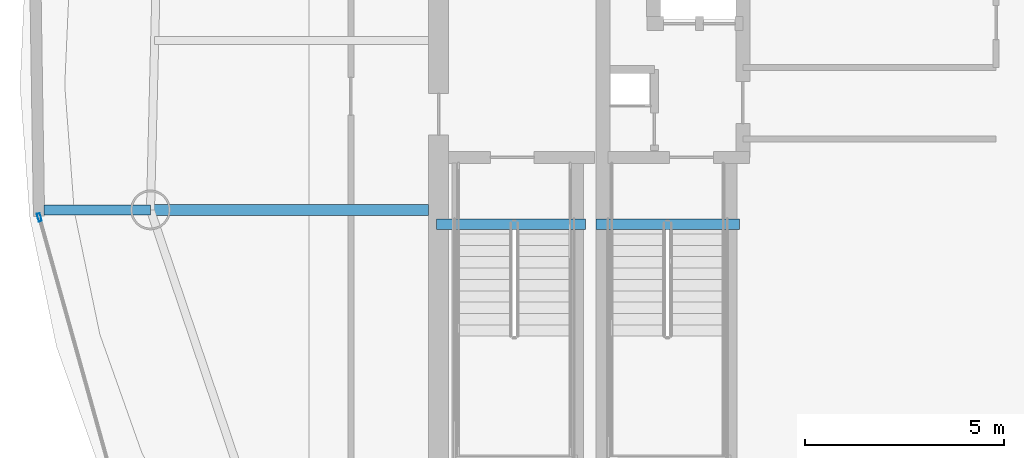
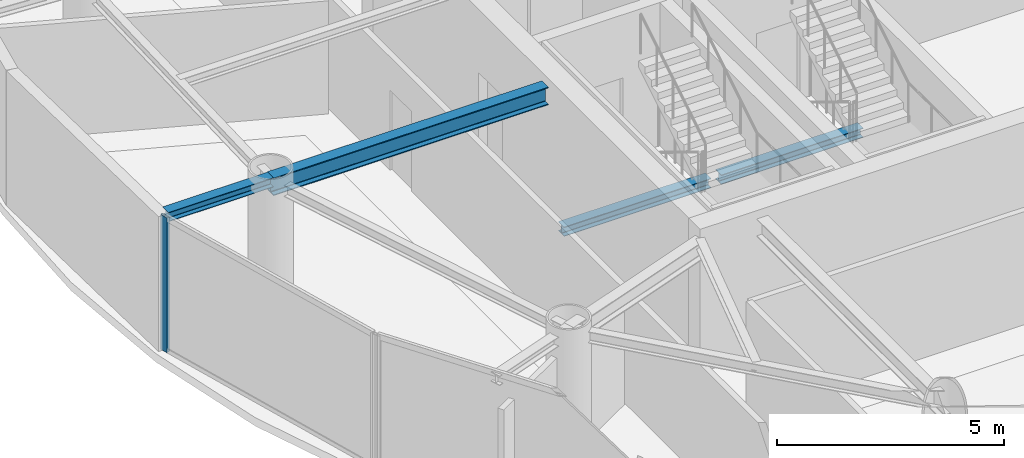
# One storey, part 5 of 19: 4 beams, 1 member, 1 element without a shape of its own.
"""IFC4 building model written with IfcOpenShell, lengths in metres."""

import ifcopenshell
import ifcopenshell.guid

model = None  # the IFC model being written
_history = None  # IfcOwnerHistory: only IFC2X3 demands one
_inside = {}  # id of a spatial element -> (the spatial element, [elements in it])
_under = {}  # id of a project, library or spatial element -> (it, [spatial elements below it])
_declared = {}  # id of a project -> (the project, [libraries it declares])
_typed = {}  # id of a type object -> (the type object, [elements of that type])
_made_of = {}  # id of a material, layer set ... -> (it, [elements and type objects made of it])


def new_model(schema):
    """Start an empty IFC model of exactly this schema.

    Asked for "IFC4X3", IfcOpenShell would pick the latest addendum, in which some entities
    have other attributes; the version numbers below select the first issue.
    IFC2X3 requires an IfcOwnerHistory on every rooted entity: one is made here for all.
    """
    global model, _history
    if schema == "IFC4X3":
        model = ifcopenshell.file(schema_version=(4, 3, 0, 0))
    else:
        model = ifcopenshell.file(schema=schema)
    _inside.clear()
    _under.clear()
    _declared.clear()
    _typed.clear()
    _made_of.clear()
    _history = None
    if model.schema == "IFC2X3":
        org = make("IfcOrganization", Name="unknown")
        user = make(
            "IfcPersonAndOrganization",
            ThePerson=make("IfcPerson", FamilyName="unknown"),
            TheOrganization=org,
        )
        app = make(
            "IfcApplication",
            ApplicationDeveloper=org,
            Version="unknown",
            ApplicationFullName="unknown",
            ApplicationIdentifier="unknown",
        )
        _history = make(
            "IfcOwnerHistory",
            OwningUser=user,
            OwningApplication=app,
            ChangeAction="ADDED",
            CreationDate=0,
        )
    return model


def make(cls, **values):
    """One entity of the class cls with the attributes given. An attribute that is None is left unset."""
    return model.create_entity(
        cls, **{name: value for name, value in values.items() if value is not None}
    )


def rooted(cls, **values):
    """An entity with a GlobalId (a new one), such as an element, a storey or a relation."""
    return make(cls, GlobalId=ifcopenshell.guid.new(), OwnerHistory=_history, **values)


def si_unit(unit_type, name, prefix=None):
    """IfcSIUnit, for example si_unit("LENGTHUNIT", "METRE", prefix="MILLI")."""
    return make("IfcSIUnit", UnitType=unit_type, Prefix=prefix, Name=name)


def assignment(units):
    """IfcUnitAssignment: the units of a project."""
    return None if units is None else make("IfcUnitAssignment", Units=units)


def point(xyz):
    """IfcCartesianPoint."""
    return None if xyz is None else make("IfcCartesianPoint", Coordinates=xyz)


def direction(xyz):
    """IfcDirection."""
    return None if xyz is None else make("IfcDirection", DirectionRatios=xyz)


def frame(location, z_axis=None, x_axis=None):
    """IfcAxis2Placement3D, a coordinate frame: its origin and axes. An axis left out is left unset."""
    return make(
        "IfcAxis2Placement3D",
        Location=point(location),
        Axis=direction(z_axis),
        RefDirection=direction(x_axis),
    )


def frame_2d(location, x_axis=None):
    """IfcAxis2Placement2D, a coordinate frame in the plane: its origin and x axis."""
    return make(
        "IfcAxis2Placement2D", Location=point(location), RefDirection=direction(x_axis)
    )


def origin():
    """The frame at (0, 0, 0) with its axes left unset."""
    return frame((0.0, 0.0, 0.0))


def origin_2d():
    """The frame at (0, 0) in the plane with its x axis left unset."""
    return frame_2d((0.0, 0.0))


def place(relative_to, where):
    """IfcLocalPlacement: puts the frame where relative to a parent placement (None: the world)."""
    return make(
        "IfcLocalPlacement", PlacementRelTo=relative_to, RelativePlacement=where
    )


def context(
    kind, dimensions, precision=None, world=None, true_north=None, identifier=None
):
    """IfcGeometricRepresentationContext, for example the 3D "Model" context."""
    return make(
        "IfcGeometricRepresentationContext",
        ContextIdentifier=identifier,
        ContextType=kind,
        CoordinateSpaceDimension=dimensions,
        Precision=precision,
        WorldCoordinateSystem=world,
        TrueNorth=true_north,
    )


def subcontext(parent, identifier, kind, view, scale=None):
    """IfcGeometricRepresentationSubContext, for example "Body" below "Model"."""
    return make(
        "IfcGeometricRepresentationSubContext",
        ContextIdentifier=identifier,
        ContextType=kind,
        ParentContext=parent,
        TargetScale=scale,
        TargetView=view,
    )


def project(units=None, contexts=None):
    """IfcProject with its units and contexts."""
    return rooted(
        "IfcProject",
        Name="project",
        RepresentationContexts=contexts,
        UnitsInContext=assignment(units),
    )


def spatial(cls, under=None, at=None, **own):
    """A site, building, storey or space (cls), placed at a placement, below another one or the project."""
    s = rooted(cls, ObjectPlacement=at, **own)
    if under is not None:
        _under.setdefault(under.id(), (under, []))[1].append(s)
    return s


def profile(cls, at=None, kind="AREA", **sizes):
    """A parametric profile (cls). Its sizes go by their IFC names, for example OverallWidth=200.0."""
    return make(cls, ProfileType=kind, Position=at, **sizes)


def hollow_rectangle(**sizes):
    """IfcRectangleHollowProfileDef."""
    return profile("IfcRectangleHollowProfileDef", **sizes)


def i_section(**sizes):
    """IfcIShapeProfileDef."""
    return profile("IfcIShapeProfileDef", **sizes)


def extrude(swept, where, along, depth):
    """IfcExtrudedAreaSolid: the profile swept, set in the frame where, extruded along a direction by depth."""
    return make(
        "IfcExtrudedAreaSolid",
        SweptArea=swept,
        Position=where,
        ExtrudedDirection=direction(along),
        Depth=depth,
    )


def shape(context_of_items, identifier, shape_type, items):
    """IfcShapeRepresentation: the items that make up one representation, for example the "Body"."""
    return make(
        "IfcShapeRepresentation",
        ContextOfItems=context_of_items,
        RepresentationIdentifier=identifier,
        RepresentationType=shape_type,
        Items=items,
    )


def material(Name=None, Category=None):
    """IfcMaterial."""
    return make("IfcMaterial", Name=Name, Category=Category)


def layer(
    of_material, thickness, ventilated=None, Name=None, Category=None, Priority=None
):
    """IfcMaterialLayer: one layer of a wall or slab, of a material (None: an air gap)."""
    return make(
        "IfcMaterialLayer",
        Material=of_material,
        LayerThickness=thickness,
        IsVentilated=ventilated,
        Name=Name,
        Category=Category,
        Priority=Priority,
    )


def layer_set(layers, Name=None):
    """IfcMaterialLayerSet."""
    return make("IfcMaterialLayerSet", MaterialLayers=layers, LayerSetName=Name)


def material_profile(
    of_material, cross_section, Name=None, Category=None, Priority=None
):
    """IfcMaterialProfile: a cross section and its material."""
    return make(
        "IfcMaterialProfile",
        Name=Name,
        Material=of_material,
        Profile=cross_section,
        Priority=Priority,
        Category=Category,
    )


def profile_set(profiles, Name=None, composite=None):
    """IfcMaterialProfileSet."""
    return make(
        "IfcMaterialProfileSet",
        Name=Name,
        MaterialProfiles=profiles,
        CompositeProfile=composite,
    )


def made_of(thing, what):
    """Note that an element or type object is made of a material, layer set ...; save() writes the relation."""
    if what is not None:
        _made_of.setdefault(what.id(), (what, []))[1].append(thing)
    return thing


def type_object(cls, material=None, **own):
    """A type object (cls), such as IfcWallType, which elements share."""
    return made_of(rooted(cls, **own), material)


def element(
    cls,
    number,
    at=None,
    inside=None,
    cuts=None,
    type_object=None,
    material=None,
    context=None,
    identifier="Body",
    shape_type=None,
    held_by="IfcProductDefinitionShape",
    body=None,
    shapes=None,
    **own,
):
    """One element of the class cls, such as IfcWall. Its Tag is "e" and its number.

    at: its placement. inside: the storey or other place that contains it. cuts: it is an
    opening in that element (IfcRelVoidsElement). A single representation is given by context,
    identifier, shape_type and body (its items); several are given by shapes. held_by: the class
    of the entity that holds the representations. save() writes the other relations.
    """
    e = rooted(cls, Tag="e%d" % number, ObjectPlacement=at, **own)
    if body is not None:
        shapes = [shape(context, identifier, shape_type, body)]
    if shapes is not None:
        e.Representation = make(held_by, Representations=shapes)
    if inside is not None:
        _inside.setdefault(inside.id(), (inside, []))[1].append(e)
    if cuts is not None:
        rooted(
            "IfcRelVoidsElement", RelatingBuildingElement=cuts, RelatedOpeningElement=e
        )
    if type_object is not None:
        _typed.setdefault(type_object.id(), (type_object, []))[1].append(e)
    return made_of(e, material)


def aggregate(whole, parts):
    """IfcRelAggregates: a whole, such as a stair, and the parts it consists of."""
    return rooted("IfcRelAggregates", RelatingObject=whole, RelatedObjects=parts)


def save(model, path):
    """Write the relations noted so far, then the file.

    IfcRelAggregates (storeys below a building ...), IfcRelContainedInSpatialStructure (elements
    in a storey), IfcRelDefinesByType, IfcRelAssociatesMaterial and IfcRelDeclares: one each for
    every whole, place, type object, material and project.
    """
    for whole, parts in _under.values():
        aggregate(whole, parts)
    for where, things in _inside.values():
        rooted(
            "IfcRelContainedInSpatialStructure",
            RelatedElements=things,
            RelatingStructure=where,
        )
    for kind, things in _typed.values():
        rooted("IfcRelDefinesByType", RelatedObjects=things, RelatingType=kind)
    for what, things in _made_of.values():
        rooted("IfcRelAssociatesMaterial", RelatedObjects=things, RelatingMaterial=what)
    for by, libraries in _declared.values():
        rooted("IfcRelDeclares", RelatingContext=by, RelatedDefinitions=libraries)
    model.write(path)


model = new_model("IFC4")

# Units and contexts
model_context = context("Model", 3, precision=1e-05, world=origin(), true_north=direction((0.0, 1.0)))
body_context = subcontext(model_context, "Body", "Model", "MODEL_VIEW")
ifc_project = project(units=[si_unit("LENGTHUNIT", "METRE"), si_unit("AREAUNIT", "SQUARE_METRE"), si_unit("VOLUMEUNIT", "CUBIC_METRE"), si_unit("PLANEANGLEUNIT", "RADIAN"), si_unit("MASSUNIT", "GRAM", prefix="KILO")], contexts=[model_context])

# Site, building, storey
site_placement = place(None, origin())
site = spatial("IfcSite", under=ifc_project, at=site_placement, CompositionType="ELEMENT")
building_placement = place(site_placement, origin())
building = spatial("IfcBuilding", under=site, at=building_placement, Name="Bramvorn Convention Spire", CompositionType="ELEMENT")
storey_placement = place(building_placement, frame((0.0, 0.0, 299.800048828125)))
storey = spatial("IfcBuildingStorey", under=building, at=storey_placement, Name="L76", CompositionType="ELEMENT", Elevation=299.800048828125)

# Beams
ifc_material_1 = material(Name="Steel CSA G40.21 Grade 350 (350W)", Category="steel")
ifc_material_profile_1 = material_profile(ifc_material_1, i_section(OverallWidth=0.25390625, OverallDepth=0.2529296875, WebThickness=0.008544921875, FlangeThickness=0.01416015625, FilletRadius=0.011962890625, at=origin_2d()))
ifc_profile_set_1 = profile_set([ifc_material_profile_1], Name="Steel CSA G40.21 Grade 350 (350W) - W250X73")
beam_type_1 = type_object("IfcBeamType", Name="BM-W250X73", PredefinedType="BEAM", material=ifc_profile_set_1)
beam_1_placement = place(storey_placement, frame((19.765380859375, 25.37060546875, 3.49853515625), z_axis=(-1.0, 0.0, 0.0), x_axis=(0.0, -1.0, 0.0)))
element("IfcBeam", 1, at=beam_1_placement, inside=storey, type_object=beam_type_1, Name="L76 slab-edge cantilever tip beam MC12", PredefinedType="BEAM", context=body_context, shape_type="SweptSolid", body=[
    extrude(i_section(OverallWidth=0.25390625, OverallDepth=0.2529296875, WebThickness=0.008544921875, FlangeThickness=0.01416015625, FilletRadius=0.011962890625, at=origin_2d()), origin(), (0.0, 0.0, 1.0), 2.672607421875),
])
beam_2_placement = place(storey_placement, frame((26.949951171875, 25.010009765625, -0.12646484375), z_axis=(1.0, 0.0, 0.0), x_axis=(0.0, 1.0, 0.0)))
element("IfcBeam", 2, at=beam_2_placement, inside=storey, type_object=beam_type_1, Name="L76 ST1 stair arrival header beam", PredefinedType="BEAM", context=body_context, shape_type="SweptSolid", body=[
    extrude(i_section(OverallWidth=0.25390625, OverallDepth=0.2529296875, WebThickness=0.008544921875, FlangeThickness=0.01416015625, FilletRadius=0.011962890625, at=origin_2d()), origin(), (0.0, 0.0, 1.0), 3.739990234375),
])
beam_3_placement = place(storey_placement, frame((30.949951171875, 25.010009765625, -0.12646484375), z_axis=(1.0, 0.0, 0.0), x_axis=(0.0, 1.0, 0.0)))
element("IfcBeam", 3, at=beam_3_placement, inside=storey, type_object=beam_type_1, Name="L76 ST3 stair arrival header beam", PredefinedType="BEAM", context=body_context, shape_type="SweptSolid", body=[
    extrude(i_section(OverallWidth=0.25390625, OverallDepth=0.2529296875, WebThickness=0.008544921875, FlangeThickness=0.01416015625, FilletRadius=0.011962890625, at=origin_2d()), origin(), (0.0, 0.0, 1.0), 3.610107421875),
])
ifc_material_profile_2 = material_profile(ifc_material_1, i_section(OverallWidth=0.283935546875, OverallDepth=0.47607421875, WebThickness=0.014892578125, FlangeThickness=0.02392578125, FilletRadius=0.01806640625, at=origin_2d()))
ifc_profile_set_2 = profile_set([ifc_material_profile_2], Name="Steel CSA G40.21 Grade 350 (350W) - W460X158")
beam_type_2 = type_object("IfcBeamType", Name="BM-W460X158", PredefinedType="SPANDREL", material=ifc_profile_set_2)
beam_4_placement = place(storey_placement, frame((26.75, 25.37060546875, 3.386962890625), z_axis=(-1.0, 0.0, 0.0), x_axis=(0.0, -1.0, 0.0)))
element("IfcBeam", 4, at=beam_4_placement, inside=storey, type_object=beam_type_2, Name="L76 radial floor girder MC12", PredefinedType="SPANDREL", context=body_context, shape_type="SweptSolid", body=[
    extrude(i_section(OverallWidth=0.283935546875, OverallDepth=0.47607421875, WebThickness=0.014892578125, FlangeThickness=0.02392578125, FilletRadius=0.01806640625, at=origin_2d()), origin(), (0.0, 0.0, 1.0), 6.984619140625),
])

# Curtain wall, member
ifc_material_2 = material(Name="Anodised Bronze Unitised Curtain Wall", Category="aluminium")
ifc_layer = layer(ifc_material_2, 0.179931640625)
ifc_layer_set = layer_set([ifc_layer], Name="Anodised Bronze Unitised Curtain Wall - CW-OFF-FRIT")
curtain_wall_type = type_object("IfcCurtainWallType", Name="CW-OFF-FRIT", PredefinedType="USERDEFINED", material=ifc_layer_set)
curtain_wall_placement = place(storey_placement, origin())
curtain_wall = element("IfcCurtainWall", 5, at=curtain_wall_placement, inside=storey, type_object=curtain_wall_type, Name="L76 fritted glass curtain wall 18", ObjectType="UNITISED CURTAIN WALL", PredefinedType="USERDEFINED")
ifc_material_3 = material(Name="Anodised Bronze Aluminium 6063-T6", Category="aluminium")
ifc_material_profile_3 = material_profile(ifc_material_3, hollow_rectangle(XDim=0.080078125, YDim=0.199951171875, WallThickness=0.00390625, InnerFilletRadius=0.0009765625, OuterFilletRadius=0.00390625, at=origin_2d()))
ifc_profile_set_3 = profile_set([ifc_material_profile_3], Name="Anodised Bronze Aluminium 6063-T6 - CWM80X200")
member_type = type_object("IfcMemberType", Name="CW-MUL-180", PredefinedType="MULLION", material=ifc_profile_set_3)
member_placement = place(storey_placement, frame((16.973876953125, 25.183837890625, 0.0), z_axis=(0.0, 0.0, 1.0), x_axis=(-0.963073416236, -0.269238917952, 0.0)))
member = element("IfcMember", 6, at=member_placement, type_object=member_type, Name="CW3 mullion 2", PredefinedType="MULLION", context=body_context, shape_type="SweptSolid", body=[
    extrude(hollow_rectangle(XDim=0.080078125, YDim=0.199951171875, WallThickness=0.00390625, InnerFilletRadius=0.0009765625, OuterFilletRadius=0.00390625, at=origin_2d()), origin(), (0.0, 0.0, 1.0), 3.625),
])
aggregate(curtain_wall, [member])

save(model, "model.ifc")
